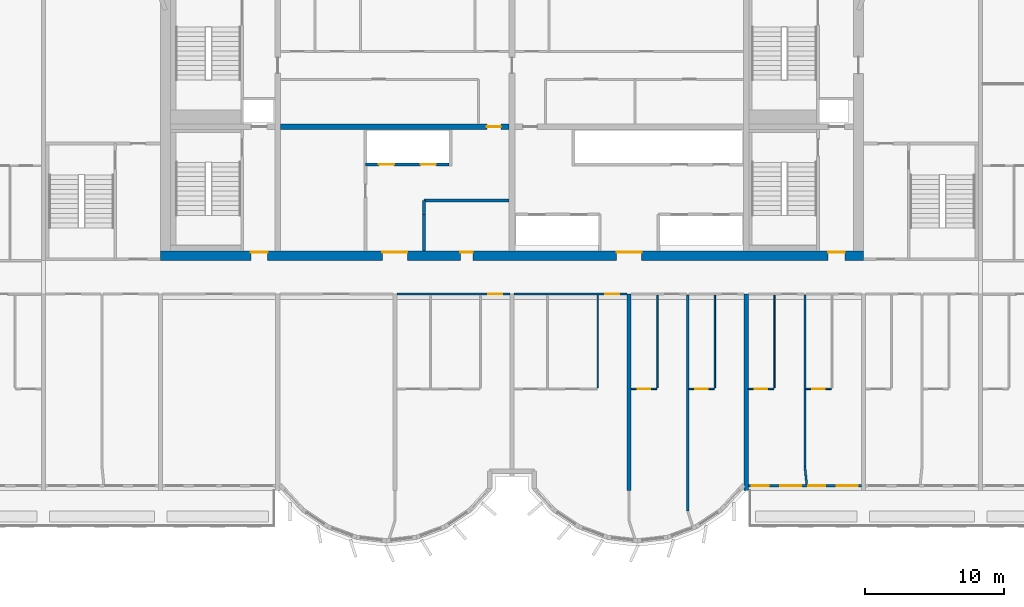
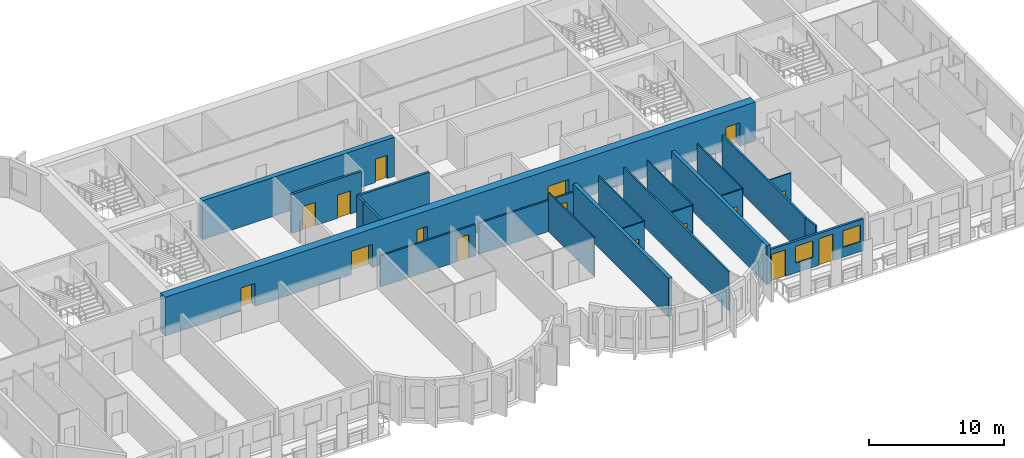
# One storey, part 5 of 13: 22 walls, 16 doors, 2 windows, 18 openings.
"""IFC4 building model written with IfcOpenShell, lengths in metres."""

from ifc_helpers import new_model, si_unit, direction, frame, frame_2d, origin, place, context, subcontext, project, spatial, rectangle, extrude, source, transform, mapped, material, layer, layer_set, type_object, element, fill, save


model = new_model("IFC4")

# Units and contexts
model_context = context("Model", 3, precision=1e-05, world=origin(), true_north=direction((0.0, 1.0)))
body_context = subcontext(model_context, "Body", "Model", "MODEL_VIEW")
ifc_project = project(units=[si_unit("LENGTHUNIT", "METRE"), si_unit("AREAUNIT", "SQUARE_METRE"), si_unit("VOLUMEUNIT", "CUBIC_METRE"), si_unit("PLANEANGLEUNIT", "RADIAN"), si_unit("MASSUNIT", "GRAM", prefix="KILO")], contexts=[model_context])

# Site, building, storey
site_placement = place(None, origin())
site = spatial("IfcSite", under=ifc_project, at=site_placement, CompositionType="ELEMENT")
building_placement = place(site_placement, origin())
building = spatial("IfcBuilding", under=site, at=building_placement, Name="Vanashikhar Sky Hotel", CompositionType="ELEMENT")
storey_placement = place(building_placement, frame((0.0, 0.0, 197.199951171875)))
storey = spatial("IfcBuildingStorey", under=building, at=storey_placement, Name="L48", CompositionType="ELEMENT", Elevation=197.199951171875)

# Wall, openings, doors
ifc_material_1 = material(Name="Concrete M60", Category="concrete")
ifc_layer_1 = layer(ifc_material_1, 0.699951171875)
ifc_layer_set_1 = layer_set([ifc_layer_1], Name="RC core shell wall 700 Concrete M60")
wall_type_1 = type_object("IfcWallType", Name="RC core shell wall 700 Concrete M60", PredefinedType="SHEAR", material=ifc_layer_set_1)
shared_shape_1 = source(origin(), body_context, "Body", "SweptSolid", [
    extrude(rectangle(XDim=50.400146484375, YDim=0.699951171875, at=frame_2d((25.2001953125, 0.0))), origin(), (0.0, 0.0, 1.0), 3.52001953125),
])
wall_1_placement = place(storey_placement, frame((25.199951171875, 22.35009765625, 0.0), z_axis=(0.0, 0.0, 1.0), x_axis=(1.0, 0.0, 0.0)))
wall_1 = element("IfcWall", 1, at=wall_1_placement, inside=storey, type_object=wall_type_1, Name="KW-L48-KS", PredefinedType="SHEAR", context=body_context, shape_type="MappedRepresentation", body=[
    mapped(shared_shape_1, transform((0.0, 0.0, 0.0), scale=1.0)),
])
shared_shape_2 = source(origin(), body_context, "Body", "SweptSolid", [
    extrude(rectangle(XDim=1.800048828125, YDim=2.10009765625, at=frame_2d((0.89990234375, 1.050048828125))), frame((0.0, 0.35986328125, 0.0), z_axis=(0.0, -1.0, 0.0), x_axis=(1.0, 0.0, 0.0)), (0.0, 0.0, 1.0), 0.719970703125),
])
opening_1_placement = place(wall_1_placement, frame((15.89990234375, 0.0, 0.0)))
opening_1 = element("IfcOpeningElement", 2, at=opening_1_placement, cuts=wall_1, Name="Opening DC-3-A", PredefinedType="OPENING", context=body_context, shape_type="MappedRepresentation", body=[
    mapped(shared_shape_2, transform((0.0, 0.0, 0.0), scale=1.0)),
])
shared_shape_3 = source(origin(), body_context, "Body", "SweptSolid", [
    extrude(rectangle(XDim=0.89990234375, YDim=2.10009765625, at=frame_2d((0.449951171875, 1.050048828125))), frame((0.0, 0.35986328125, 0.0), z_axis=(0.0, -1.0, 0.0), x_axis=(1.0, 0.0, 0.0)), (0.0, 0.0, 1.0), 0.719970703125),
])
opening_2_placement = place(wall_1_placement, frame((21.5, 0.0, 0.0)))
opening_2 = element("IfcOpeningElement", 3, at=opening_2_placement, cuts=wall_1, Name="Opening DC-4-A", PredefinedType="OPENING", context=body_context, shape_type="MappedRepresentation", body=[
    mapped(shared_shape_3, transform((0.0, 0.0, 0.0), scale=1.0)),
])
opening_3_placement = place(wall_1_placement, frame((32.699951171875, 0.0, 0.0)))
opening_3 = element("IfcOpeningElement", 4, at=opening_3_placement, cuts=wall_1, Name="Opening DC-3-A", PredefinedType="OPENING", context=body_context, shape_type="MappedRepresentation", body=[
    mapped(shared_shape_2, transform((0.0, 0.0, 0.0), scale=1.0)),
])
shared_shape_4 = source(origin(), body_context, "Body", "SweptSolid", [
    extrude(rectangle(XDim=1.199951171875, YDim=2.10009765625, at=frame_2d((0.60009765625, 1.050048828125))), frame((0.0, 0.35986328125, 0.0), z_axis=(0.0, -1.0, 0.0), x_axis=(1.0, 0.0, 0.0)), (0.0, 0.0, 1.0), 0.719970703125),
])
opening_4_placement = place(wall_1_placement, frame((6.47509765625, 0.0, 0.0)))
opening_4 = element("IfcOpeningElement", 5, at=opening_4_placement, cuts=wall_1, Name="Opening DC-2", PredefinedType="OPENING", context=body_context, shape_type="MappedRepresentation", body=[
    mapped(shared_shape_4, transform((0.0, 0.0, 0.0), scale=1.0)),
])
opening_5_placement = place(wall_1_placement, frame((47.875, 0.0, 0.0)))
opening_5 = element("IfcOpeningElement", 6, at=opening_5_placement, cuts=wall_1, Name="Opening DC-2", PredefinedType="OPENING", context=body_context, shape_type="MappedRepresentation", body=[
    mapped(shared_shape_4, transform((0.0, 0.0, 0.0), scale=1.0)),
])
ifc_material_2 = material(Name="Glass", Category="glass")
door_type_1 = type_object("IfcDoorType", Name="Lift lobby entrance door 1800 FD30S", OperationType="NOTDEFINED", PredefinedType="DOOR", material=ifc_material_2)
shared_shape_5 = source(origin(), body_context, "Body", "SweptSolid", [
    extrude(rectangle(XDim=1.800048828125, YDim=2.10009765625, at=frame_2d((0.89990234375, 1.050048828125))), frame((0.0, 0.27490234375, 0.0), z_axis=(0.0, -1.0, 0.0), x_axis=(1.0, 0.0, 0.0)), (0.0, 0.0, 1.0), 0.050048828125),
])
door_1_placement = place(opening_1_placement, origin())
door_1 = element("IfcDoor", 7, at=door_1_placement, inside=storey, type_object=door_type_1, Name="Lift lobby entrance door 1800 FD30S", OperationType="DOUBLE_DOOR_SINGLE_SWING", OverallHeight=2.10009765625, OverallWidth=1.800048828125, PredefinedType="DOOR", context=body_context, shape_type="MappedRepresentation", body=[
    mapped(shared_shape_5, transform((0.0, 0.0, 0.0), scale=1.0)),
])
fill(opening_1, door_1)
door_2_placement = place(opening_3_placement, origin())
door_2 = element("IfcDoor", 8, at=door_2_placement, inside=storey, type_object=door_type_1, Name="Lift lobby entrance door 1800 FD30S", OperationType="DOUBLE_DOOR_SINGLE_SWING", OverallHeight=2.10009765625, OverallWidth=1.800048828125, PredefinedType="DOOR", context=body_context, shape_type="MappedRepresentation", body=[
    mapped(shared_shape_5, transform((0.0, 0.0, 0.0), scale=1.0)),
])
fill(opening_3, door_2)
ifc_material_3 = material(Name="Steel", Category="steel")
door_type_2 = type_object("IfcDoorType", Name="Firefighting lobby door 1200 FD120", OperationType="NOTDEFINED", PredefinedType="DOOR", material=ifc_material_3)
shared_shape_6 = source(origin(), body_context, "Body", "SweptSolid", [
    extrude(rectangle(XDim=1.199951171875, YDim=2.10009765625, at=frame_2d((0.60009765625, 1.050048828125))), frame((0.0, 0.27490234375, 0.0), z_axis=(0.0, -1.0, 0.0), x_axis=(1.0, 0.0, 0.0)), (0.0, 0.0, 1.0), 0.050048828125),
])
door_3_placement = place(opening_4_placement, origin())
door_3 = element("IfcDoor", 9, at=door_3_placement, inside=storey, type_object=door_type_2, Name="Firefighting lobby door 1200 FD120", OperationType="SINGLE_SWING_RIGHT", OverallHeight=2.10009765625, OverallWidth=1.199951171875, PredefinedType="DOOR", context=body_context, shape_type="MappedRepresentation", body=[
    mapped(shared_shape_6, transform((0.0, 0.0, 0.0), scale=1.0)),
])
fill(opening_4, door_3)
door_4_placement = place(opening_5_placement, origin())
door_4 = element("IfcDoor", 10, at=door_4_placement, inside=storey, type_object=door_type_2, Name="Firefighting lobby door 1200 FD120", OperationType="SINGLE_SWING_RIGHT", OverallHeight=2.10009765625, OverallWidth=1.199951171875, PredefinedType="DOOR", context=body_context, shape_type="MappedRepresentation", body=[
    mapped(shared_shape_6, transform((0.0, 0.0, 0.0), scale=1.0)),
])
fill(opening_5, door_4)
door_type_3 = type_object("IfcDoorType", Name="Service door 900 FD60", OperationType="NOTDEFINED", PredefinedType="DOOR", material=ifc_material_3)
shared_shape_7 = source(origin(), body_context, "Body", "SweptSolid", [
    extrude(rectangle(XDim=0.89990234375, YDim=2.10009765625, at=frame_2d((0.449951171875, 1.050048828125))), frame((0.0, 0.27490234375, 0.0), z_axis=(0.0, -1.0, 0.0), x_axis=(1.0, 0.0, 0.0)), (0.0, 0.0, 1.0), 0.050048828125),
])
door_5_placement = place(opening_2_placement, origin())
door_5 = element("IfcDoor", 11, at=door_5_placement, inside=storey, type_object=door_type_3, Name="Service door 900 FD60", OperationType="SINGLE_SWING_RIGHT", OverallHeight=2.10009765625, OverallWidth=0.89990234375, PredefinedType="DOOR", context=body_context, shape_type="MappedRepresentation", body=[
    mapped(shared_shape_7, transform((0.0, 0.0, 0.0), scale=1.0)),
])
fill(opening_2, door_5)

# Wall, opening, door
ifc_layer_2 = layer(ifc_material_1, 0.39990234375)
ifc_layer_set_2 = layer_set([ifc_layer_2], Name="RC core inner wall 400 Concrete M60")
wall_type_2 = type_object("IfcWallType", Name="RC core inner wall 400 Concrete M60", PredefinedType="SHEAR", material=ifc_layer_set_2)
shared_shape_8 = source(origin(), body_context, "Body", "SweptSolid", [
    extrude(rectangle(XDim=16.39990234375, YDim=0.39990234375, at=frame_2d((8.199951171875, 0.0))), origin(), (0.0, 0.0, 1.0), 3.52001953125),
])
wall_2_placement = place(storey_placement, frame((33.800048828125, 31.60009765625, 0.0), z_axis=(0.0, 0.0, 1.0), x_axis=(1.0, 0.0, 0.0)))
wall_2 = element("IfcWall", 12, at=wall_2_placement, inside=storey, type_object=wall_type_2, Name="KW-L48-KY2", PredefinedType="SHEAR", context=body_context, shape_type="MappedRepresentation", body=[
    mapped(shared_shape_8, transform((0.0, 0.0, 0.0), scale=1.0)),
])
shared_shape_9 = source(origin(), body_context, "Body", "SweptSolid", [
    extrude(rectangle(XDim=1.0, YDim=2.10009765625, at=frame_2d((0.5, 1.050048828125))), frame((0.0, 0.2099609375, 0.0), z_axis=(0.0, -1.0, 0.0), x_axis=(1.0, 0.0, 0.0)), (0.0, 0.0, 1.0), 0.419921875),
])
opening_6_placement = place(wall_2_placement, frame((14.800048828125, 0.0, 0.0)))
opening_6 = element("IfcOpeningElement", 13, at=opening_6_placement, cuts=wall_2, Name="Opening DC-4", PredefinedType="OPENING", context=body_context, shape_type="MappedRepresentation", body=[
    mapped(shared_shape_9, transform((0.0, 0.0, 0.0), scale=1.0)),
])
door_type_4 = type_object("IfcDoorType", Name="Service door 1000 FD60", OperationType="NOTDEFINED", PredefinedType="DOOR", material=ifc_material_3)
shared_shape_10 = source(origin(), body_context, "Body", "SweptSolid", [
    extrude(rectangle(XDim=1.0, YDim=2.10009765625, at=frame_2d((0.5, 1.050048828125))), frame((0.0, 0.02490234375, 0.0), z_axis=(0.0, -1.0, 0.0), x_axis=(1.0, 0.0, 0.0)), (0.0, 0.0, 1.0), 0.050048828125),
])
door_6_placement = place(opening_6_placement, origin())
door_6 = element("IfcDoor", 14, at=door_6_placement, inside=storey, type_object=door_type_4, Name="Service door 1000 FD60", OperationType="SINGLE_SWING_LEFT", OverallHeight=2.10009765625, OverallWidth=1.0, PredefinedType="DOOR", context=body_context, shape_type="MappedRepresentation", body=[
    mapped(shared_shape_10, transform((0.0, 0.0, 0.0), scale=1.0)),
])
fill(opening_6, door_6)

# Walls
ifc_layer_3 = layer(ifc_material_1, 0.300048828125)
ifc_layer_set_3 = layer_set([ifc_layer_3], Name="RC shear wall 300 Concrete M60")
wall_type_3 = type_object("IfcWallType", Name="RC shear wall 300 Concrete M60", PredefinedType="SHEAR", material=ifc_layer_set_3)
shared_shape_11 = source(origin(), body_context, "Body", "SweptSolid", [
    extrude(rectangle(XDim=14.10009765625, YDim=0.300048828125, at=frame_2d((7.050048828125, 0.0))), origin(), (0.0, 0.0, 1.0), 3.52001953125),
])
for number, where, z_axis, x_axis, name in (
    (15, (58.800048828125, 5.5, 0.0), (0.0, 0.0, 1.0), (0.0, 1.0, 0.0), "CW-L48-XW08-1"),
    (16, (67.199951171875, 5.5, 0.0), (0.0, 0.0, 1.0), (0.0, 1.0, 0.0), "CW-L48-XW09-1"),
):
    element("IfcWall", number, at=place(storey_placement, frame(where, z_axis=z_axis, x_axis=x_axis)), inside=storey, type_object=wall_type_3, Name=name, PredefinedType="SHEAR", context=body_context, shape_type="MappedRepresentation", body=[
        mapped(shared_shape_11, transform((0.0, 0.0, 0.0), scale=1.0)),
    ])

# Wall, openings, windows, doors
ifc_material_4 = material(Name="Concrete M50", Category="concrete")
ifc_layer_4 = layer(ifc_material_4, 0.199951171875)
ifc_layer_set_4 = layer_set([ifc_layer_4], Name="Front window wall 200")
wall_type_4 = type_object("IfcWallType", Name="Front window wall 200", PredefinedType="SOLIDWALL", material=ifc_layer_set_4)
shared_shape_12 = source(origin(), body_context, "Body", "SweptSolid", [
    extrude(rectangle(XDim=8.099853515625, YDim=0.199951171875, at=frame_2d((4.0498046875, 0.0))), origin(), (0.0, 0.0, 1.0), 2.8701171875),
])
wall_3_placement = place(storey_placement, frame((67.35009765625, 5.85009765625, 0.0), z_axis=(0.0, 0.0, 1.0), x_axis=(1.0, 0.0, 0.0)))
wall_3 = element("IfcWall", 17, at=wall_3_placement, inside=storey, type_object=wall_type_4, Name="Front window wall", PredefinedType="SOLIDWALL", context=body_context, shape_type="MappedRepresentation", body=[
    mapped(shared_shape_12, transform((0.0, 0.0, 0.0), scale=1.0)),
])
shared_shape_13 = source(origin(), body_context, "Body", "SweptSolid", [
    extrude(rectangle(XDim=1.199951171875, YDim=2.39990234375, at=frame_2d((0.60009765625, 1.199951171875))), frame((0.0, 0.10986328125, 0.0), z_axis=(0.0, -1.0, 0.0), x_axis=(1.0, 0.0, 0.0)), (0.0, 0.0, 1.0), 0.219970703125),
])
opening_7_placement = place(wall_3_placement, frame((0.25, 0.0, 0.0)))
opening_7 = element("IfcOpeningElement", 18, at=opening_7_placement, cuts=wall_3, Name="Opening BD-06", PredefinedType="OPENING", context=body_context, shape_type="MappedRepresentation", body=[
    mapped(shared_shape_13, transform((0.0, 0.0, 0.0), scale=1.0)),
])
shared_shape_14 = source(origin(), body_context, "Body", "SweptSolid", [
    extrude(rectangle(XDim=1.5, YDim=1.5, at=frame_2d((0.75, 0.75))), frame((0.0, 0.10986328125, 0.0), z_axis=(0.0, -1.0, 0.0), x_axis=(1.0, 0.0, 0.0)), (0.0, 0.0, 1.0), 0.219970703125),
])
opening_8_placement = place(wall_3_placement, frame((2.300048828125, 0.0, 0.89990234375)))
opening_8 = element("IfcOpeningElement", 19, at=opening_8_placement, cuts=wall_3, Name="Opening WN-1", PredefinedType="OPENING", context=body_context, shape_type="MappedRepresentation", body=[
    mapped(shared_shape_14, transform((0.0, 0.0, 0.0), scale=1.0)),
])
opening_9_placement = place(wall_3_placement, frame((4.300048828125, 0.0, 0.0)))
opening_9 = element("IfcOpeningElement", 20, at=opening_9_placement, cuts=wall_3, Name="Opening BD-07", PredefinedType="OPENING", context=body_context, shape_type="MappedRepresentation", body=[
    mapped(shared_shape_13, transform((0.0, 0.0, 0.0), scale=1.0)),
])
opening_10_placement = place(wall_3_placement, frame((6.35009765625, 0.0, 0.89990234375)))
opening_10 = element("IfcOpeningElement", 21, at=opening_10_placement, cuts=wall_3, Name="Opening WN-1", PredefinedType="OPENING", context=body_context, shape_type="MappedRepresentation", body=[
    mapped(shared_shape_14, transform((0.0, 0.0, 0.0), scale=1.0)),
])
window_type = type_object("IfcWindowType", Name="Window 1500 x 1500", PartitioningType="SINGLE_PANEL", PredefinedType="WINDOW", material=ifc_material_2)
shared_shape_15 = source(origin(), body_context, "Body", "SweptSolid", [
    extrude(rectangle(XDim=1.5, YDim=1.5, at=frame_2d((0.75, 0.75))), frame((0.0, 0.030029296875, 0.0), z_axis=(0.0, -1.0, 0.0), x_axis=(1.0, 0.0, 0.0)), (0.0, 0.0, 1.0), 0.06005859375),
])
window_1_placement = place(opening_8_placement, origin())
window_1 = element("IfcWindow", 22, at=window_1_placement, inside=storey, type_object=window_type, Name="Window WN-1", OverallHeight=1.5, OverallWidth=1.5, PartitioningType="SINGLE_PANEL", PredefinedType="WINDOW", context=body_context, shape_type="MappedRepresentation", body=[
    mapped(shared_shape_15, transform((0.0, 0.0, 0.0), scale=1.0)),
])
fill(opening_8, window_1)
window_2_placement = place(opening_10_placement, origin())
window_2 = element("IfcWindow", 23, at=window_2_placement, inside=storey, type_object=window_type, Name="Window WN-1", OverallHeight=1.5, OverallWidth=1.5, PartitioningType="SINGLE_PANEL", PredefinedType="WINDOW", context=body_context, shape_type="MappedRepresentation", body=[
    mapped(shared_shape_15, transform((0.0, 0.0, 0.0), scale=1.0)),
])
fill(opening_10, window_2)
ifc_material_5 = material(Name="Aluminium", Category="aluminium")
door_type_5 = type_object("IfcDoorType", Name="Balcony sliding door 1200 x 2400", OperationType="NOTDEFINED", PredefinedType="DOOR", material=ifc_material_5)
shared_shape_16 = source(origin(), body_context, "Body", "SweptSolid", [
    extrude(rectangle(XDim=1.199951171875, YDim=2.39990234375, at=frame_2d((0.60009765625, 1.199951171875))), frame((0.0, 0.02490234375, 0.0), z_axis=(0.0, -1.0, 0.0), x_axis=(1.0, 0.0, 0.0)), (0.0, 0.0, 1.0), 0.050048828125),
])
door_7_placement = place(opening_7_placement, origin())
door_7 = element("IfcDoor", 24, at=door_7_placement, inside=storey, type_object=door_type_5, Name="Balcony sliding door", OperationType="SLIDING_TO_RIGHT", OverallHeight=2.39990234375, OverallWidth=1.199951171875, PredefinedType="DOOR", context=body_context, shape_type="MappedRepresentation", body=[
    mapped(shared_shape_16, transform((0.0, 0.0, 0.0), scale=1.0)),
])
fill(opening_7, door_7)
door_8_placement = place(opening_9_placement, origin())
door_8 = element("IfcDoor", 25, at=door_8_placement, inside=storey, type_object=door_type_5, Name="Balcony sliding door", OperationType="SLIDING_TO_LEFT", OverallHeight=2.39990234375, OverallWidth=1.199951171875, PredefinedType="DOOR", context=body_context, shape_type="MappedRepresentation", body=[
    mapped(shared_shape_16, transform((0.0, 0.0, 0.0), scale=1.0)),
])
fill(opening_9, door_8)

# Wall, openings, doors
ifc_material_6 = material(Name="Concrete M40", Category="concrete")
ifc_layer_5 = layer(ifc_material_6, 0.199951171875)
ifc_layer_set_5 = layer_set([ifc_layer_5], Name="Shaft wall 200")
wall_type_5 = type_object("IfcWallType", Name="Shaft wall 200", PredefinedType="SOLIDWALL", material=ifc_layer_set_5)
shared_shape_17 = source(origin(), body_context, "Body", "SweptSolid", [
    extrude(rectangle(XDim=6.0, YDim=0.199951171875, at=frame_2d((3.0, 0.0))), origin(), (0.0, 0.0, 1.0), 3.52001953125),
])
wall_4_placement = place(storey_placement, frame((39.89990234375, 28.89990234375, 0.0), z_axis=(0.0, 0.0, 1.0), x_axis=(1.0, 0.0, 0.0)))
wall_4 = element("IfcWall", 26, at=wall_4_placement, inside=storey, type_object=wall_type_5, Name="Shaft wall 200", PredefinedType="SOLIDWALL", context=body_context, shape_type="MappedRepresentation", body=[
    mapped(shared_shape_17, transform((0.0, 0.0, 0.0), scale=1.0)),
])
shared_shape_18 = source(origin(), body_context, "Body", "SweptSolid", [
    extrude(rectangle(XDim=1.10009765625, YDim=2.10009765625, at=frame_2d((0.550048828125, 1.050048828125))), frame((0.0, 0.10986328125, 0.0), z_axis=(0.0, -1.0, 0.0), x_axis=(1.0, 0.0, 0.0)), (0.0, 0.0, 1.0), 0.219970703125),
])
opening_11_placement = place(wall_4_placement, frame((0.949951171875, 0.0, 0.0)))
opening_11 = element("IfcOpeningElement", 27, at=opening_11_placement, cuts=wall_4, Name="Opening LD", PredefinedType="OPENING", context=body_context, shape_type="MappedRepresentation", body=[
    mapped(shared_shape_18, transform((0.0, 0.0, 0.0), scale=1.0)),
])
opening_12_placement = place(wall_4_placement, frame((3.949951171875, 0.0, 0.0)))
opening_12 = element("IfcOpeningElement", 28, at=opening_12_placement, cuts=wall_4, Name="Opening LD", PredefinedType="OPENING", context=body_context, shape_type="MappedRepresentation", body=[
    mapped(shared_shape_18, transform((0.0, 0.0, 0.0), scale=1.0)),
])
ifc_material_7 = material(Name="Stainless steel", Category="steel")
door_type_6 = type_object("IfcDoorType", Name="Lift landing door 1100", OperationType="NOTDEFINED", PredefinedType="DOOR", material=ifc_material_7)
shared_shape_19 = source(origin(), body_context, "Body", "SweptSolid", [
    extrude(rectangle(XDim=1.10009765625, YDim=2.10009765625, at=frame_2d((0.550048828125, 1.050048828125))), frame((0.0, 0.02490234375, 0.0), z_axis=(0.0, -1.0, 0.0), x_axis=(1.0, 0.0, 0.0)), (0.0, 0.0, 1.0), 0.050048828125),
])
door_9_placement = place(opening_11_placement, origin())
door_9 = element("IfcDoor", 29, at=door_9_placement, inside=storey, type_object=door_type_6, Name="Lift landing door 1100", OperationType="SLIDING_TO_LEFT", OverallHeight=2.10009765625, OverallWidth=1.10009765625, PredefinedType="DOOR", context=body_context, shape_type="MappedRepresentation", body=[
    mapped(shared_shape_19, transform((0.0, 0.0, 0.0), scale=1.0)),
])
fill(opening_11, door_9)
door_10_placement = place(opening_12_placement, origin())
door_10 = element("IfcDoor", 30, at=door_10_placement, inside=storey, type_object=door_type_6, Name="Lift landing door 1100", OperationType="SLIDING_TO_RIGHT", OverallHeight=2.10009765625, OverallWidth=1.10009765625, PredefinedType="DOOR", context=body_context, shape_type="MappedRepresentation", body=[
    mapped(shared_shape_19, transform((0.0, 0.0, 0.0), scale=1.0)),
])
fill(opening_12, door_10)

# Walls
ifc_material_8 = material(Name="Gypsum board partition")
ifc_layer_6 = layer(ifc_material_8, 0.14990234375)
ifc_layer_set_6 = layer_set([ifc_layer_6], Name="Service partition 150")
wall_type_6 = type_object("IfcWallType", Name="Service partition 150", PredefinedType="PARTITIONING", material=ifc_layer_set_6)
shared_shape_20 = source(origin(), body_context, "Body", "SweptSolid", [
    extrude(rectangle(XDim=2.60009765625, YDim=0.199951171875, at=frame_2d((1.300048828125, 0.0))), origin(), (0.0, 0.0, 1.0), 3.52001953125),
])
wall_5_placement = place(storey_placement, frame((44.10009765625, 22.699951171875, 0.0), z_axis=(0.0, 0.0, 1.0), x_axis=(0.0, 1.0, 0.0)))
element("IfcWall", 31, at=wall_5_placement, inside=storey, type_object=wall_type_6, Name="Service partition 150", PredefinedType="PARTITIONING", context=body_context, shape_type="MappedRepresentation", body=[
    mapped(shared_shape_20, transform((0.0, 0.0, 0.0), scale=1.0)),
])
shared_shape_21 = source(origin(), body_context, "Body", "SweptSolid", [
    extrude(rectangle(XDim=6.099853515625, YDim=0.199951171875, at=frame_2d((3.0498046875, 0.0))), origin(), (0.0, 0.0, 1.0), 3.52001953125),
])
wall_6_placement = place(storey_placement, frame((44.10009765625, 26.300048828125, 0.0), z_axis=(0.0, 0.0, 1.0), x_axis=(1.0, 0.0, 0.0)))
element("IfcWall", 32, at=wall_6_placement, inside=storey, type_object=wall_type_6, Name="Service partition 150", PredefinedType="PARTITIONING", context=body_context, shape_type="MappedRepresentation", body=[
    mapped(shared_shape_21, transform((0.0, 0.0, 0.0), scale=1.0)),
])
shared_shape_22 = source(origin(), body_context, "Body", "SweptSolid", [
    extrude(rectangle(XDim=1.0, YDim=0.199951171875, at=frame_2d((0.5, 0.0))), origin(), (0.0, 0.0, 1.0), 3.52001953125),
])
wall_7_placement = place(storey_placement, frame((44.10009765625, 25.300048828125, 0.0), z_axis=(0.0, 0.0, 1.0), x_axis=(0.0, 1.0, 0.0)))
element("IfcWall", 33, at=wall_7_placement, inside=storey, type_object=wall_type_6, Name="Service partition 150", PredefinedType="PARTITIONING", context=body_context, shape_type="MappedRepresentation", body=[
    mapped(shared_shape_22, transform((0.0, 0.0, 0.0), scale=1.0)),
])

# Wall, opening, door
ifc_material_9 = material(Name="Gypsum plasterboard partition")
ifc_layer_7 = layer(ifc_material_9, 0.10009765625)
ifc_layer_set_7 = layer_set([ifc_layer_7], Name="Wet room partition 100")
wall_type_7 = type_object("IfcWallType", Name="Wet room partition 100", PredefinedType="PARTITIONING", material=ifc_layer_set_7)
shared_shape_23 = source(origin(), body_context, "Body", "SweptSolid", [
    extrude(rectangle(XDim=1.824951171875, YDim=0.10009765625, at=frame_2d((0.91259765625, 0.0))), origin(), (0.0, 0.0, 1.0), 3.52001953125),
])
wall_8_placement = place(storey_placement, frame((58.949951171875, 12.800048828125, 0.0), z_axis=(0.0, 0.0, 1.0), x_axis=(1.0, 0.0, 0.0)))
wall_8 = element("IfcWall", 34, at=wall_8_placement, inside=storey, type_object=wall_type_7, Name="W-L48-PW024", PredefinedType="PARTITIONING", context=body_context, shape_type="MappedRepresentation", body=[
    mapped(shared_shape_23, transform((0.0, 0.0, 0.0), scale=1.0)),
])
shared_shape_24 = source(origin(), body_context, "Body", "SweptSolid", [
    extrude(rectangle(XDim=0.89990234375, YDim=2.10009765625, at=frame_2d((0.449951171875, 1.050048828125))), frame((0.0, 0.06005859375, 0.0), z_axis=(0.0, -1.0, 0.0), x_axis=(1.0, 0.0, 0.0)), (0.0, 0.0, 1.0), 0.1201171875),
])
opening_13_placement = place(wall_8_placement, frame((0.4619140625, 0.0, 0.0)))
opening_13 = element("IfcOpeningElement", 35, at=opening_13_placement, cuts=wall_8, Name="Opening D-02", PredefinedType="OPENING", context=body_context, shape_type="MappedRepresentation", body=[
    mapped(shared_shape_24, transform((0.0, 0.0, 0.0), scale=1.0)),
])
ifc_material_10 = material(Name="Timber door", Category="wood")
door_type_7 = type_object("IfcDoorType", Name="Internal door 900", OperationType="NOTDEFINED", PredefinedType="DOOR", material=ifc_material_10)
shared_shape_25 = source(origin(), body_context, "Body", "SweptSolid", [
    extrude(rectangle(XDim=0.89990234375, YDim=2.10009765625, at=frame_2d((0.449951171875, 1.050048828125))), frame((0.0, 0.02490234375, 0.0), z_axis=(0.0, -1.0, 0.0), x_axis=(1.0, 0.0, 0.0)), (0.0, 0.0, 1.0), 0.050048828125),
])
door_11_placement = place(opening_13_placement, origin())
door_11 = element("IfcDoor", 36, at=door_11_placement, inside=storey, type_object=door_type_7, Name="D-L48-015", OperationType="SINGLE_SWING_RIGHT", OverallHeight=2.10009765625, OverallWidth=0.89990234375, PredefinedType="DOOR", context=body_context, shape_type="MappedRepresentation", body=[
    mapped(shared_shape_25, transform((0.0, 0.0, 0.0), scale=1.0)),
])
fill(opening_13, door_11)

wall_9_placement = place(storey_placement, frame((63.074951171875, 12.800048828125, 0.0), z_axis=(0.0, 0.0, 1.0), x_axis=(1.0, 0.0, 0.0)))
wall_9 = element("IfcWall", 37, at=wall_9_placement, inside=storey, type_object=wall_type_7, Name="W-L48-PW027", PredefinedType="PARTITIONING", context=body_context, shape_type="MappedRepresentation", body=[
    mapped(shared_shape_23, transform((0.0, 0.0, 0.0), scale=1.0)),
])
opening_14_placement = place(wall_9_placement, frame((0.4619140625, 0.0, 0.0)))
opening_14 = element("IfcOpeningElement", 38, at=opening_14_placement, cuts=wall_9, Name="Opening D-02", PredefinedType="OPENING", context=body_context, shape_type="MappedRepresentation", body=[
    mapped(shared_shape_24, transform((0.0, 0.0, 0.0), scale=1.0)),
])
door_12_placement = place(opening_14_placement, origin())
door_12 = element("IfcDoor", 39, at=door_12_placement, inside=storey, type_object=door_type_7, Name="D-L48-017", OperationType="SINGLE_SWING_RIGHT", OverallHeight=2.10009765625, OverallWidth=0.89990234375, PredefinedType="DOOR", context=body_context, shape_type="MappedRepresentation", body=[
    mapped(shared_shape_25, transform((0.0, 0.0, 0.0), scale=1.0)),
])
fill(opening_14, door_12)

wall_10_placement = place(storey_placement, frame((67.35009765625, 12.800048828125, 0.0), z_axis=(0.0, 0.0, 1.0), x_axis=(1.0, 0.0, 0.0)))
wall_10 = element("IfcWall", 40, at=wall_10_placement, inside=storey, type_object=wall_type_7, Name="W-L48-PW031", PredefinedType="PARTITIONING", context=body_context, shape_type="MappedRepresentation", body=[
    mapped(shared_shape_23, transform((0.0, 0.0, 0.0), scale=1.0)),
])
opening_15_placement = place(wall_10_placement, frame((0.462890625, 0.0, 0.0)))
opening_15 = element("IfcOpeningElement", 41, at=opening_15_placement, cuts=wall_10, Name="Opening D-02", PredefinedType="OPENING", context=body_context, shape_type="MappedRepresentation", body=[
    mapped(shared_shape_24, transform((0.0, 0.0, 0.0), scale=1.0)),
])
door_13_placement = place(opening_15_placement, origin())
door_13 = element("IfcDoor", 42, at=door_13_placement, inside=storey, type_object=door_type_7, Name="D-L48-019", OperationType="SINGLE_SWING_RIGHT", OverallHeight=2.10009765625, OverallWidth=0.89990234375, PredefinedType="DOOR", context=body_context, shape_type="MappedRepresentation", body=[
    mapped(shared_shape_25, transform((0.0, 0.0, 0.0), scale=1.0)),
])
fill(opening_15, door_13)

wall_11_placement = place(storey_placement, frame((71.47509765625, 12.800048828125, 0.0), z_axis=(0.0, 0.0, 1.0), x_axis=(1.0, 0.0, 0.0)))
wall_11 = element("IfcWall", 43, at=wall_11_placement, inside=storey, type_object=wall_type_7, Name="W-L48-PW034", PredefinedType="PARTITIONING", context=body_context, shape_type="MappedRepresentation", body=[
    mapped(shared_shape_23, transform((0.0, 0.0, 0.0), scale=1.0)),
])
opening_16_placement = place(wall_11_placement, frame((0.462890625, 0.0, 0.0)))
opening_16 = element("IfcOpeningElement", 44, at=opening_16_placement, cuts=wall_11, Name="Opening D-02", PredefinedType="OPENING", context=body_context, shape_type="MappedRepresentation", body=[
    mapped(shared_shape_24, transform((0.0, 0.0, 0.0), scale=1.0)),
])
door_14_placement = place(opening_16_placement, origin())
door_14 = element("IfcDoor", 45, at=door_14_placement, inside=storey, type_object=door_type_7, Name="D-L48-021", OperationType="SINGLE_SWING_RIGHT", OverallHeight=2.10009765625, OverallWidth=0.89990234375, PredefinedType="DOOR", context=body_context, shape_type="MappedRepresentation", body=[
    mapped(shared_shape_25, transform((0.0, 0.0, 0.0), scale=1.0)),
])
fill(opening_16, door_14)

# Walls
shared_shape_26 = source(origin(), body_context, "Body", "SweptSolid", [
    extrude(rectangle(XDim=6.64990234375, YDim=0.10009765625, at=frame_2d((3.324951171875, 0.0))), origin(), (0.0, 0.0, 1.0), 3.52001953125),
])
for number, where, z_axis, x_axis, name in (
    (46, (56.550048828125, 12.875, 0.0), (0.0, 0.0, 1.0), (0.0, 1.0, 0.0), "W-L48-PW018"),
    (47, (60.824951171875, 12.875, 0.0), (0.0, 0.0, 1.0), (0.0, 1.0, 0.0), "W-L48-PW023"),
    (48, (64.949951171875, 12.875, 0.0), (0.0, 0.0, 1.0), (0.0, 1.0, 0.0), "W-L48-PW026"),
    (49, (69.22509765625, 12.875, 0.0), (0.0, 0.0, 1.0), (0.0, 1.0, 0.0), "W-L48-PW030"),
):
    element("IfcWall", number, at=place(storey_placement, frame(where, z_axis=z_axis, x_axis=x_axis)), inside=storey, type_object=wall_type_7, Name=name, PredefinedType="PARTITIONING", context=body_context, shape_type="MappedRepresentation", body=[
        mapped(shared_shape_26, transform((0.0, 0.0, 0.0), scale=1.0)),
    ])
ifc_layer_8 = layer(ifc_material_9, 0.14990234375)
ifc_layer_set_8 = layer_set([ifc_layer_8], Name="Corridor and demising partition 150")
wall_type_8 = type_object("IfcWallType", Name="Corridor and demising partition 150", PredefinedType="PARTITIONING", material=ifc_layer_set_8)
shared_shape_27 = source(origin(), body_context, "Body", "SweptSolid", [
    extrude(rectangle(XDim=12.27490234375, YDim=0.14990234375, at=frame_2d((6.137451171875, 0.0))), origin(), (0.0, 0.0, 1.0), 3.52001953125),
])
wall_12_placement = place(storey_placement, frame((71.39990234375, 7.25, 0.0), z_axis=(0.0, 0.0, 1.0), x_axis=(0.0, 1.0, 0.0)))
element("IfcWall", 50, at=wall_12_placement, inside=storey, type_object=wall_type_8, Name="W-L48-PW036", PredefinedType="PARTITIONING", context=body_context, shape_type="MappedRepresentation", body=[
    mapped(shared_shape_27, transform((0.0, 0.0, 0.0), scale=1.0)),
])
shared_shape_28 = source(origin(), body_context, "Body", "SweptSolid", [
    extrude(rectangle(XDim=15.497802734375, YDim=0.14990234375, at=frame_2d((7.7490234375, 0.0))), origin(), (0.0, 0.0, 1.0), 3.52001953125),
])
wall_13_placement = place(storey_placement, frame((63.0, 4.027099609375, 0.0), z_axis=(0.0, 0.0, 1.0), x_axis=(0.0, 1.0, 0.0)))
element("IfcWall", 51, at=wall_13_placement, inside=storey, type_object=wall_type_8, Name="W-L48-PW029", PredefinedType="PARTITIONING", context=body_context, shape_type="MappedRepresentation", body=[
    mapped(shared_shape_28, transform((0.0, 0.0, 0.0), scale=1.0)),
])
shared_shape_29 = source(origin(), body_context, "Body", "SweptSolid", [
    extrude(rectangle(XDim=1.306640625, YDim=0.14990234375, at=frame_2d((0.6533203125, 0.0))), origin(), (0.0, 0.0, 1.0), 3.52001953125),
])
wall_14_placement = place(storey_placement, frame((71.530029296875, 5.949951171875, 0.0), z_axis=(0.0, 0.0, 1.0), x_axis=(-0.099596223396, 0.99502793543, 0.0)))
element("IfcWall", 52, at=wall_14_placement, inside=storey, type_object=wall_type_8, Name="W-L48-PW036B0", PredefinedType="PARTITIONING", context=body_context, shape_type="MappedRepresentation", body=[
    mapped(shared_shape_29, transform((0.0, 0.0, 0.0), scale=1.0)),
])

# Wall, opening, door
shared_shape_30 = source(origin(), body_context, "Body", "SweptSolid", [
    extrude(rectangle(XDim=8.10009765625, YDim=0.14990234375, at=frame_2d((4.050048828125, 0.0))), origin(), (0.0, 0.0, 1.0), 2.820068359375),
])
wall_15_placement = place(storey_placement, frame((42.14990234375, 19.60009765625, 0.0), z_axis=(0.0, 0.0, 1.0), x_axis=(1.0, 0.0, 0.0)))
wall_15 = element("IfcWall", 53, at=wall_15_placement, inside=storey, type_object=wall_type_8, Name="W-L48-PW017", PredefinedType="PARTITIONING", context=body_context, shape_type="MappedRepresentation", body=[
    mapped(shared_shape_30, transform((0.0, 0.0, 0.0), scale=1.0)),
])
shared_shape_31 = source(origin(), body_context, "Body", "SweptSolid", [
    extrude(rectangle(XDim=1.0, YDim=2.10009765625, at=frame_2d((0.5, 1.050048828125))), frame((0.0, 0.0849609375, 0.0), z_axis=(0.0, -1.0, 0.0), x_axis=(1.0, 0.0, 0.0)), (0.0, 0.0, 1.0), 0.169921875),
])
opening_17_placement = place(wall_15_placement, frame((6.550048828125, 0.0, 0.0)))
opening_17 = element("IfcOpeningElement", 54, at=opening_17_placement, cuts=wall_15, Name="Opening D-01", PredefinedType="OPENING", context=body_context, shape_type="MappedRepresentation", body=[
    mapped(shared_shape_31, transform((0.0, 0.0, 0.0), scale=1.0)),
])
ifc_material_11 = material(Name="Timber fire door", Category="wood")
door_type_8 = type_object("IfcDoorType", Name="Guest entry door 1000 FD30S", OperationType="NOTDEFINED", PredefinedType="DOOR", material=ifc_material_11)
door_15_placement = place(opening_17_placement, origin())
door_15 = element("IfcDoor", 55, at=door_15_placement, inside=storey, type_object=door_type_8, Name="D-L48-011", OperationType="SINGLE_SWING_RIGHT", OverallHeight=2.10009765625, OverallWidth=1.0, PredefinedType="DOOR", context=body_context, shape_type="MappedRepresentation", body=[
    mapped(shared_shape_10, transform((0.0, 0.0, 0.0), scale=1.0)),
])
fill(opening_17, door_15)

shared_shape_32 = source(origin(), body_context, "Body", "SweptSolid", [
    extrude(rectangle(XDim=8.099853515625, YDim=0.14990234375, at=frame_2d((4.0498046875, 0.0))), origin(), (0.0, 0.0, 1.0), 2.820068359375),
])
wall_16_placement = place(storey_placement, frame((50.550048828125, 19.60009765625, 0.0), z_axis=(0.0, 0.0, 1.0), x_axis=(1.0, 0.0, 0.0)))
wall_16 = element("IfcWall", 56, at=wall_16_placement, inside=storey, type_object=wall_type_8, Name="W-L48-PW022", PredefinedType="PARTITIONING", context=body_context, shape_type="MappedRepresentation", body=[
    mapped(shared_shape_32, transform((0.0, 0.0, 0.0), scale=1.0)),
])
opening_18_placement = place(wall_16_placement, frame((6.550048828125, 0.0, 0.0)))
opening_18 = element("IfcOpeningElement", 57, at=opening_18_placement, cuts=wall_16, Name="Opening D-01", PredefinedType="OPENING", context=body_context, shape_type="MappedRepresentation", body=[
    mapped(shared_shape_31, transform((0.0, 0.0, 0.0), scale=1.0)),
])
door_16_placement = place(opening_18_placement, origin())
door_16 = element("IfcDoor", 58, at=door_16_placement, inside=storey, type_object=door_type_8, Name="D-L48-014", OperationType="SINGLE_SWING_RIGHT", OverallHeight=2.10009765625, OverallWidth=1.0, PredefinedType="DOOR", context=body_context, shape_type="MappedRepresentation", body=[
    mapped(shared_shape_10, transform((0.0, 0.0, 0.0), scale=1.0)),
])
fill(opening_18, door_16)

save(model, "model.ifc")
